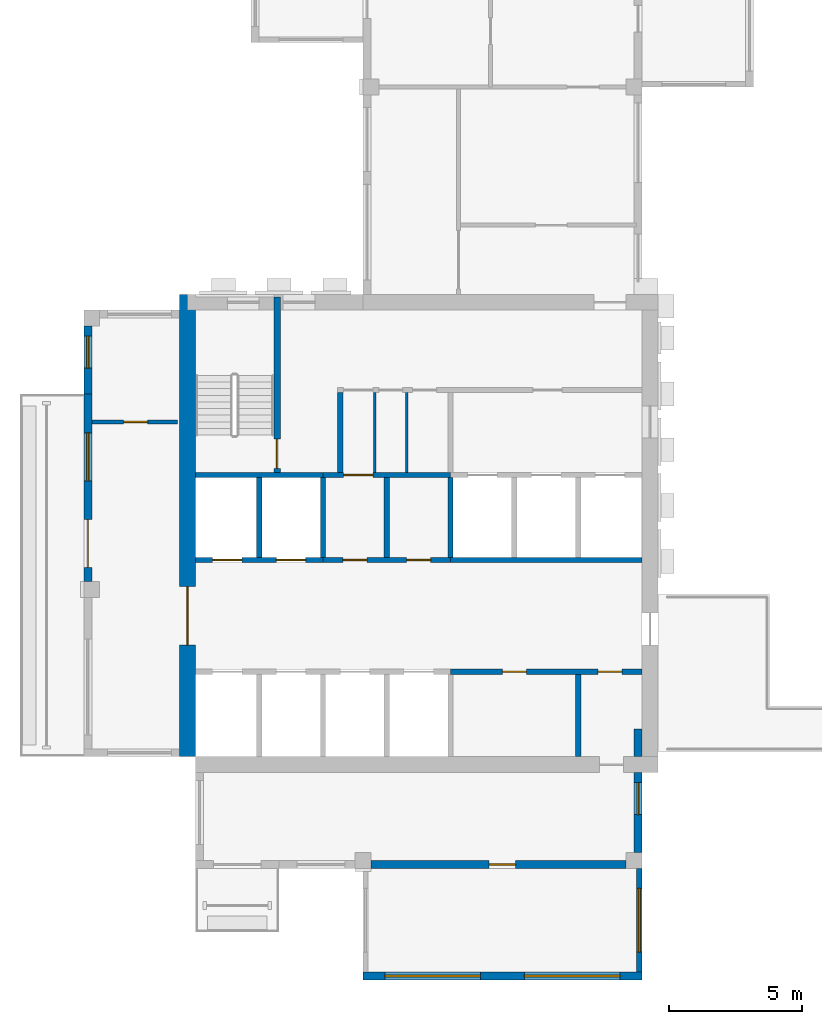
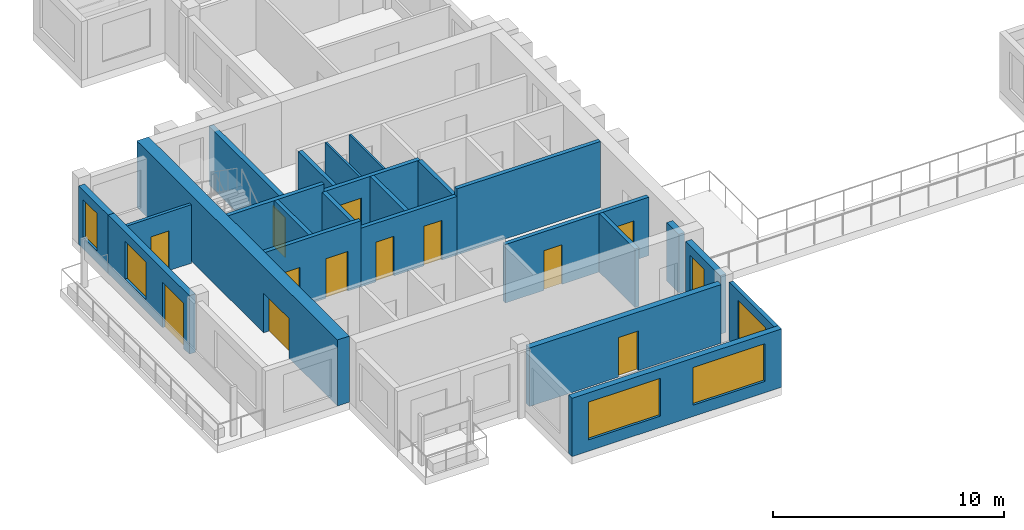
# One storey, part 2 of 9: 24 walls, 12 doors, 6 windows, 18 openings.
"""IFC4 building model written with IfcOpenShell, lengths in metres."""

from ifc_helpers import new_model, si_unit, direction, frame, frame_2d, origin, place, context, subcontext, project, spatial, rectangle, extrude, source, transform, mapped, material, layer, layer_set, type_object, element, fill, save


model = new_model("IFC4")

# Units and contexts
model_context = context("Model", 3, precision=1e-05, world=origin(), true_north=direction((0.0, 1.0)))
body_context = subcontext(model_context, "Body", "Model", "MODEL_VIEW")
ifc_project = project(units=[si_unit("LENGTHUNIT", "METRE"), si_unit("AREAUNIT", "SQUARE_METRE"), si_unit("VOLUMEUNIT", "CUBIC_METRE"), si_unit("PLANEANGLEUNIT", "RADIAN"), si_unit("MASSUNIT", "GRAM", prefix="KILO")], contexts=[model_context])

# Site, building, storey
site_placement = place(None, origin())
site = spatial("IfcSite", under=ifc_project, at=site_placement, CompositionType="ELEMENT")
building_placement = place(site_placement, origin())
building = spatial("IfcBuilding", under=site, at=building_placement, Name="Aurelian Terraces", CompositionType="ELEMENT")
storey_placement = place(building_placement, frame((0.0, 0.0, 333.5)))
storey = spatial("IfcBuildingStorey", under=building, at=storey_placement, Name="L78", CompositionType="ELEMENT", Elevation=333.5)

# Wall, openings, windows
ifc_material_1 = material(Name="Concrete fc' 40 MPa", Category="concrete")
ifc_layer_1 = layer(ifc_material_1, 0.3)
ifc_layer_set_1 = layer_set([ifc_layer_1], Name="BOX BEARING WALL 300")
wall_type_1 = type_object("IfcWallType", Name="BOX BEARING WALL 300", PredefinedType="SOLIDWALL", material=ifc_layer_set_1)
wall_1_placement = place(storey_placement, frame((10.5, -4.05, 0.0), z_axis=(0.0, 0.0, 1.0), x_axis=(1.0, 0.0, 0.0)))
wall_1 = element("IfcWall", 1, at=wall_1_placement, inside=storey, type_object=wall_type_1, Name="Box wall L78 J93", PredefinedType="SOLIDWALL", context=body_context, shape_type="SweptSolid", body=[
    extrude(rectangle(XDim=10.5, YDim=0.3, at=frame_2d((5.25, 0.0))), origin(), (0.0, 0.0, 1.0), 3.09),
])
shared_shape_1 = source(origin(), body_context, "Body", "SweptSolid", [
    extrude(rectangle(XDim=3.6, YDim=2.0, at=frame_2d((1.8, 1.0))), frame((0.0, 0.16, 0.0), z_axis=(0.0, -1.0, 0.0), x_axis=(1.0, 0.0, 0.0)), (0.0, 0.0, 1.0), 0.32),
])
opening_1_placement = place(wall_1_placement, frame((0.825, 0.0, 0.6)))
opening_1 = element("IfcOpeningElement", 2, at=opening_1_placement, cuts=wall_1, Name="Opening W3620", PredefinedType="OPENING", context=body_context, shape_type="MappedRepresentation", body=[
    mapped(shared_shape_1, transform((0.0, 0.0, 0.0), scale=1.0)),
])
opening_2_placement = place(wall_1_placement, frame((6.075, 0.0, 0.6)))
opening_2 = element("IfcOpeningElement", 3, at=opening_2_placement, cuts=wall_1, Name="Opening W3620", PredefinedType="OPENING", context=body_context, shape_type="MappedRepresentation", body=[
    mapped(shared_shape_1, transform((0.0, 0.0, 0.0), scale=1.0)),
])
ifc_material_2 = material(Name="Clear glazing", Category="glass")
window_type_1 = type_object("IfcWindowType", Name="W-3600x2000", PartitioningType="SINGLE_PANEL", PredefinedType="WINDOW", material=ifc_material_2)
shared_shape_2 = source(origin(), body_context, "Body", "SweptSolid", [
    extrude(rectangle(XDim=3.6, YDim=2.0, at=frame_2d((1.8, 1.0))), frame((0.0, 0.03, 0.0), z_axis=(0.0, -1.0, 0.0), x_axis=(1.0, 0.0, 0.0)), (0.0, 0.0, 1.0), 0.06),
])
window_1_placement = place(opening_1_placement, origin())
window_1 = element("IfcWindow", 4, at=window_1_placement, inside=storey, type_object=window_type_1, Name="Window L78 J93-F1", OverallHeight=2.0, OverallWidth=3.6, PartitioningType="SINGLE_PANEL", PredefinedType="WINDOW", context=body_context, shape_type="MappedRepresentation", body=[
    mapped(shared_shape_2, transform((0.0, 0.0, 0.0), scale=1.0)),
])
fill(opening_1, window_1)
window_2_placement = place(opening_2_placement, origin())
window_2 = element("IfcWindow", 5, at=window_2_placement, inside=storey, type_object=window_type_1, Name="Window L78 J93-F2", OverallHeight=2.0, OverallWidth=3.6, PartitioningType="SINGLE_PANEL", PredefinedType="WINDOW", context=body_context, shape_type="MappedRepresentation", body=[
    mapped(shared_shape_2, transform((0.0, 0.0, 0.0), scale=1.0)),
])
fill(opening_2, window_2)

# Wall, opening, window
ifc_material_3 = material(Name="Terracotta rainscreen cladding", Category="masonry")
ifc_layer_2 = layer(ifc_material_3, 0.3)
ifc_layer_set_2 = layer_set([ifc_layer_2], Name="EW-300")
wall_type_2 = type_object("IfcWallType", Name="EW-300", PredefinedType="STANDARD", material=ifc_layer_set_2)
wall_2_placement = place(storey_placement, frame((0.15, 20.4, 0.0), z_axis=(0.0, 0.0, 1.0), x_axis=(0.0, -1.0, 0.0)))
wall_2 = element("IfcWall", 6, at=wall_2_placement, inside=storey, type_object=wall_type_2, Name="External wall L78 F10.17", PredefinedType="STANDARD", context=body_context, shape_type="SweptSolid", body=[
    extrude(rectangle(XDim=2.55, YDim=0.3, at=frame_2d((1.275, 0.0))), origin(), (0.0, 0.0, 1.0), 3.1),
])
shared_shape_3 = source(origin(), body_context, "Body", "SweptSolid", [
    extrude(rectangle(XDim=1.2, YDim=2.0, at=frame_2d((0.6, 1.0))), frame((0.0, 0.16, 0.0), z_axis=(0.0, -1.0, 0.0), x_axis=(1.0, 0.0, 0.0)), (0.0, 0.0, 1.0), 0.32),
])
opening_3_placement = place(wall_2_placement, frame((0.375, 0.0, 0.6)))
opening_3 = element("IfcOpeningElement", 7, at=opening_3_placement, cuts=wall_2, Name="Opening W1220", PredefinedType="OPENING", context=body_context, shape_type="MappedRepresentation", body=[
    mapped(shared_shape_3, transform((0.0, 0.0, 0.0), scale=1.0)),
])
window_type_2 = type_object("IfcWindowType", Name="W-1200x2000", PartitioningType="SINGLE_PANEL", PredefinedType="WINDOW", material=ifc_material_2)
shared_shape_4 = source(origin(), body_context, "Body", "SweptSolid", [
    extrude(rectangle(XDim=1.2, YDim=2.0, at=frame_2d((0.6, 1.0))), frame((0.0, 0.03, 0.0), z_axis=(0.0, -1.0, 0.0), x_axis=(1.0, 0.0, 0.0)), (0.0, 0.0, 1.0), 0.06),
])
window_3_placement = place(opening_3_placement, origin())
window_3 = element("IfcWindow", 8, at=window_3_placement, inside=storey, type_object=window_type_2, Name="Window L78 L78-F10-17-0", OverallHeight=2.0, OverallWidth=1.2, PartitioningType="SINGLE_PANEL", PredefinedType="WINDOW", context=body_context, shape_type="MappedRepresentation", body=[
    mapped(shared_shape_4, transform((0.0, 0.0, 0.0), scale=1.0)),
])
fill(opening_3, window_3)

# Wall, openings, door, window
wall_3_placement = place(storey_placement, frame((0.15, 17.85, 0.0), z_axis=(0.0, 0.0, 1.0), x_axis=(0.0, -1.0, 0.0)))
wall_3 = element("IfcWall", 9, at=wall_3_placement, inside=storey, type_object=wall_type_2, Name="External wall L78 F10.18", PredefinedType="STANDARD", context=body_context, shape_type="SweptSolid", body=[
    extrude(rectangle(XDim=7.05, YDim=0.3, at=frame_2d((3.525, 0.0))), origin(), (0.0, 0.0, 1.0), 3.1),
])
shared_shape_5 = source(origin(), body_context, "Body", "SweptSolid", [
    extrude(rectangle(XDim=1.8, YDim=2.4, at=frame_2d((0.9, 1.2))), frame((0.0, 0.16, 0.0), z_axis=(0.0, -1.0, 0.0), x_axis=(1.0, 0.0, 0.0)), (0.0, 0.0, 1.0), 0.32),
])
opening_4_placement = place(wall_3_placement, frame((4.725, 0.0, 0.0)))
opening_4 = element("IfcOpeningElement", 10, at=opening_4_placement, cuts=wall_3, Name="Opening 87802", PredefinedType="OPENING", context=body_context, shape_type="MappedRepresentation", body=[
    mapped(shared_shape_5, transform((0.0, 0.0, 0.0), scale=1.0)),
])
shared_shape_6 = source(origin(), body_context, "Body", "SweptSolid", [
    extrude(rectangle(XDim=1.8, YDim=2.0, at=frame_2d((0.9, 1.0))), frame((0.0, 0.16, 0.0), z_axis=(0.0, -1.0, 0.0), x_axis=(1.0, 0.0, 0.0)), (0.0, 0.0, 1.0), 0.32),
])
opening_5_placement = place(wall_3_placement, frame((1.4688, 0.0, 0.6)))
opening_5 = element("IfcOpeningElement", 11, at=opening_5_placement, cuts=wall_3, Name="Opening W1820", PredefinedType="OPENING", context=body_context, shape_type="MappedRepresentation", body=[
    mapped(shared_shape_6, transform((0.0, 0.0, 0.0), scale=1.0)),
])
door_type_1 = type_object("IfcDoorType", Name="BD-1800x2400", OperationType="SLIDING_TO_LEFT", PredefinedType="DOOR", material=ifc_material_2)
shared_shape_7 = source(origin(), body_context, "Body", "SweptSolid", [
    extrude(rectangle(XDim=1.8, YDim=2.4, at=frame_2d((0.9, 1.2))), frame((0.0, 0.025, 0.0), z_axis=(0.0, -1.0, 0.0), x_axis=(1.0, 0.0, 0.0)), (0.0, 0.0, 1.0), 0.05),
])
door_1_placement = place(opening_4_placement, origin())
door_1 = element("IfcDoor", 12, at=door_1_placement, inside=storey, type_object=door_type_1, Name="Balcony door L78 F10.18", OperationType="SLIDING_TO_LEFT", OverallHeight=2.4, OverallWidth=1.8, PredefinedType="DOOR", context=body_context, shape_type="MappedRepresentation", body=[
    mapped(shared_shape_7, transform((0.0, 0.0, 0.0), scale=1.0)),
])
fill(opening_4, door_1)
window_type_3 = type_object("IfcWindowType", Name="W-1800x2000", PartitioningType="SINGLE_PANEL", PredefinedType="WINDOW", material=ifc_material_2)
shared_shape_8 = source(origin(), body_context, "Body", "SweptSolid", [
    extrude(rectangle(XDim=1.8, YDim=2.0, at=frame_2d((0.9, 1.0))), frame((0.0, 0.03, 0.0), z_axis=(0.0, -1.0, 0.0), x_axis=(1.0, 0.0, 0.0)), (0.0, 0.0, 1.0), 0.06),
])
window_4_placement = place(opening_5_placement, origin())
window_4 = element("IfcWindow", 13, at=window_4_placement, inside=storey, type_object=window_type_3, Name="Window L78 L78-F10-18-G0-0", OverallHeight=2.0, OverallWidth=1.8, PartitioningType="SINGLE_PANEL", PredefinedType="WINDOW", context=body_context, shape_type="MappedRepresentation", body=[
    mapped(shared_shape_8, transform((0.0, 0.0, 0.0), scale=1.0)),
])
fill(opening_5, window_4)

# Wall, opening, door
ifc_material_4 = material(Name="Concrete fc' 55 MPa", Category="concrete")
ifc_layer_3 = layer(ifc_material_4, 0.6)
ifc_layer_set_3 = layer_set([ifc_layer_3], Name="CORE WALL 600 FC55")
wall_type_3 = type_object("IfcWallType", Name="CORE WALL 600 FC55", PredefinedType="SHEAR", material=ifc_layer_set_3)
shared_shape_9 = source(origin(), body_context, "Body", "SweptSolid", [
    extrude(rectangle(XDim=17.4, YDim=0.6, at=frame_2d((8.7, 0.0))), origin(), (0.0, 0.0, 1.0), 3.5),
])
wall_4_placement = place(storey_placement, frame((3.9, 4.2, 0.0), z_axis=(0.0, 0.0, 1.0), x_axis=(0.0, 1.0, 0.0)))
wall_4 = element("IfcWall", 14, at=wall_4_placement, inside=storey, type_object=wall_type_3, Name="Core wall W L78", PredefinedType="SHEAR", context=body_context, shape_type="MappedRepresentation", body=[
    mapped(shared_shape_9, transform((0.0, 0.0, 0.0), scale=1.0)),
])
shared_shape_10 = source(origin(), body_context, "Body", "SweptSolid", [
    extrude(rectangle(XDim=2.2, YDim=2.1, at=frame_2d((1.1, 1.05))), frame((0.0, 0.31, 0.0), z_axis=(0.0, -1.0, 0.0), x_axis=(1.0, 0.0, 0.0)), (0.0, 0.0, 1.0), 0.62),
])
opening_6_placement = place(wall_4_placement, frame((4.2, 0.0, 0.0)))
opening_6 = element("IfcOpeningElement", 15, at=opening_6_placement, cuts=wall_4, Name="Opening 68124", PredefinedType="OPENING", context=body_context, shape_type="MappedRepresentation", body=[
    mapped(shared_shape_10, transform((0.0, 0.0, 0.0), scale=1.0)),
])
ifc_material_5 = material(Name="Steel door leaf", Category="steel")
door_type_2 = type_object("IfcDoorType", Name="Core double door 2200x2100", OperationType="DOUBLE_DOOR_SINGLE_SWING", PredefinedType="DOOR", material=ifc_material_5)
shared_shape_11 = source(origin(), body_context, "Body", "SweptSolid", [
    extrude(rectangle(XDim=2.2, YDim=2.1, at=frame_2d((1.1, 1.05))), frame((0.0, 0.025, 0.0), z_axis=(0.0, -1.0, 0.0), x_axis=(1.0, 0.0, 0.0)), (0.0, 0.0, 1.0), 0.05),
])
door_2_placement = place(opening_6_placement, origin())
door_2 = element("IfcDoor", 16, at=door_2_placement, inside=storey, type_object=door_type_2, Name="Core door 68124", OperationType="DOUBLE_DOOR_SINGLE_SWING", OverallHeight=2.1, OverallWidth=2.2, PredefinedType="DOOR", context=body_context, shape_type="MappedRepresentation", body=[
    mapped(shared_shape_11, transform((0.0, 0.0, 0.0), scale=1.0)),
])
fill(opening_6, door_2)

# Wall, opening, window
ifc_layer_4 = layer(ifc_material_1, 0.2)
ifc_layer_set_4 = layer_set([ifc_layer_4], Name="BOX BEARING WALL 200")
wall_type_4 = type_object("IfcWallType", Name="BOX BEARING WALL 200", PredefinedType="SOLIDWALL", material=ifc_layer_set_4)
shared_shape_12 = source(origin(), body_context, "Body", "SweptSolid", [
    extrude(rectangle(XDim=3.9, YDim=0.2, at=frame_2d((1.95, 0.0))), origin(), (0.0, 0.0, 1.0), 3.09),
])
wall_5_placement = place(storey_placement, frame((20.9, 0.0, 0.0), z_axis=(0.0, 0.0, 1.0), x_axis=(0.0, -1.0, 0.0)))
wall_5 = element("IfcWall", 17, at=wall_5_placement, inside=storey, type_object=wall_type_4, Name="Box return L78 J93.2", PredefinedType="SOLIDWALL", context=body_context, shape_type="MappedRepresentation", body=[
    mapped(shared_shape_12, transform((0.0, 0.0, 0.0), scale=1.0)),
])
shared_shape_13 = source(origin(), body_context, "Body", "SweptSolid", [
    extrude(rectangle(XDim=2.4, YDim=2.0, at=frame_2d((1.2, 1.0))), frame((0.0, 0.11, 0.0), z_axis=(0.0, -1.0, 0.0), x_axis=(1.0, 0.0, 0.0)), (0.0, 0.0, 1.0), 0.22),
])
opening_7_placement = place(wall_5_placement, frame((0.75, 0.0, 0.6)))
opening_7 = element("IfcOpeningElement", 18, at=opening_7_placement, cuts=wall_5, Name="Opening W2420", PredefinedType="OPENING", context=body_context, shape_type="MappedRepresentation", body=[
    mapped(shared_shape_13, transform((0.0, 0.0, 0.0), scale=1.0)),
])
window_type_4 = type_object("IfcWindowType", Name="W-2400x2000", PartitioningType="SINGLE_PANEL", PredefinedType="WINDOW", material=ifc_material_2)
shared_shape_14 = source(origin(), body_context, "Body", "SweptSolid", [
    extrude(rectangle(XDim=2.4, YDim=2.0, at=frame_2d((1.2, 1.0))), frame((0.0, 0.03, 0.0), z_axis=(0.0, -1.0, 0.0), x_axis=(1.0, 0.0, 0.0)), (0.0, 0.0, 1.0), 0.06),
])
window_5_placement = place(opening_7_placement, origin())
window_5 = element("IfcWindow", 19, at=window_5_placement, inside=storey, type_object=window_type_4, Name="Window L78 J93-S2", OverallHeight=2.0, OverallWidth=2.4, PartitioningType="SINGLE_PANEL", PredefinedType="WINDOW", context=body_context, shape_type="MappedRepresentation", body=[
    mapped(shared_shape_14, transform((0.0, 0.0, 0.0), scale=1.0)),
])
fill(opening_7, window_5)

# Wall
shared_shape_15 = source(origin(), body_context, "Body", "SweptSolid", [
    extrude(rectangle(XDim=1.05, YDim=0.3, at=frame_2d((0.525, 0.0))), origin(), (0.0, 0.0, 1.0), 3.1),
])
wall_6_placement = place(storey_placement, frame((20.85, 4.2, 0.0), z_axis=(0.0, 0.0, 1.0), x_axis=(0.0, 1.0, 0.0)))
element("IfcWall", 20, at=wall_6_placement, inside=storey, type_object=wall_type_2, Name="External wall L78 F02.4", PredefinedType="STANDARD", context=body_context, shape_type="MappedRepresentation", body=[
    mapped(shared_shape_15, transform((0.0, 0.0, 0.0), scale=1.0)),
])

# Wall, opening, window
shared_shape_16 = source(origin(), body_context, "Body", "SweptSolid", [
    extrude(rectangle(XDim=3.0, YDim=0.3, at=frame_2d((1.5, 0.0))), origin(), (0.0, 0.0, 1.0), 3.1),
])
wall_7_placement = place(storey_placement, frame((20.85, 0.6, 0.0), z_axis=(0.0, 0.0, 1.0), x_axis=(0.0, 1.0, 0.0)))
wall_7 = element("IfcWall", 21, at=wall_7_placement, inside=storey, type_object=wall_type_2, Name="External wall L78 F02.4", PredefinedType="STANDARD", context=body_context, shape_type="MappedRepresentation", body=[
    mapped(shared_shape_16, transform((0.0, 0.0, 0.0), scale=1.0)),
])
opening_8_placement = place(wall_7_placement, frame((1.425, 0.0, 0.6)))
opening_8 = element("IfcOpeningElement", 22, at=opening_8_placement, cuts=wall_7, Name="Opening W1220", PredefinedType="OPENING", context=body_context, shape_type="MappedRepresentation", body=[
    mapped(shared_shape_3, transform((0.0, 0.0, 0.0), scale=1.0)),
])
window_6_placement = place(opening_8_placement, origin())
window_6 = element("IfcWindow", 23, at=window_6_placement, inside=storey, type_object=window_type_2, Name="Window L78 L78-F02-04-0", OverallHeight=2.0, OverallWidth=1.2, PartitioningType="SINGLE_PANEL", PredefinedType="WINDOW", context=body_context, shape_type="MappedRepresentation", body=[
    mapped(shared_shape_4, transform((0.0, 0.0, 0.0), scale=1.0)),
])
fill(opening_8, window_6)

# Wall, opening, door
shared_shape_17 = source(origin(), body_context, "Body", "SweptSolid", [
    extrude(rectangle(XDim=9.6, YDim=0.3, at=frame_2d((4.8, 0.0))), origin(), (0.0, 0.0, 1.0), 3.1),
])
wall_8_placement = place(storey_placement, frame((10.8, 0.15, 0.0), z_axis=(0.0, 0.0, 1.0), x_axis=(1.0, 0.0, 0.0)))
wall_8 = element("IfcWall", 24, at=wall_8_placement, inside=storey, type_object=wall_type_2, Name="External wall L78 F01.3", PredefinedType="STANDARD", context=body_context, shape_type="MappedRepresentation", body=[
    mapped(shared_shape_17, transform((0.0, 0.0, 0.0), scale=1.0)),
])
shared_shape_18 = source(origin(), body_context, "Body", "SweptSolid", [
    extrude(rectangle(XDim=1.0, YDim=2.1, at=frame_2d((0.5, 1.05))), frame((0.0, 0.16, 0.0), z_axis=(0.0, -1.0, 0.0), x_axis=(1.0, 0.0, 0.0)), (0.0, 0.0, 1.0), 0.32),
])
opening_9_placement = place(wall_8_placement, frame((4.45, 0.0, 0.0)))
opening_9 = element("IfcOpeningElement", 25, at=opening_9_placement, cuts=wall_8, Name="Opening 878003", PredefinedType="OPENING", context=body_context, shape_type="MappedRepresentation", body=[
    mapped(shared_shape_18, transform((0.0, 0.0, 0.0), scale=1.0)),
])
ifc_material_6 = material(Name="Timber door leaf", Category="wood")
door_type_3 = type_object("IfcDoorType", Name="Room door 1000x2100 left", OperationType="SINGLE_SWING_LEFT", PredefinedType="DOOR", material=ifc_material_6)
shared_shape_19 = source(origin(), body_context, "Body", "SweptSolid", [
    extrude(rectangle(XDim=1.0, YDim=2.1, at=frame_2d((0.5, 1.05))), frame((0.0, 0.025, 0.0), z_axis=(0.0, -1.0, 0.0), x_axis=(1.0, 0.0, 0.0)), (0.0, 0.0, 1.0), 0.05),
])
door_3_placement = place(opening_9_placement, origin())
door_3 = element("IfcDoor", 26, at=door_3_placement, inside=storey, type_object=door_type_3, Name="Door 878003", OperationType="SINGLE_SWING_LEFT", OverallHeight=2.1, OverallWidth=1.0, PredefinedType="DOOR", context=body_context, shape_type="MappedRepresentation", body=[
    mapped(shared_shape_19, transform((0.0, 0.0, 0.0), scale=1.0)),
])
fill(opening_9, door_3)

# Walls
ifc_layer_5 = layer(ifc_material_1, 0.2)
ifc_layer_set_5 = layer_set([ifc_layer_5], Name="Lift shaft wall 200")
wall_type_5 = type_object("IfcWallType", Name="Lift shaft wall 200", PredefinedType="SOLIDWALL", material=ifc_layer_set_5)
shared_shape_20 = source(origin(), body_context, "Body", "SweptSolid", [
    extrude(rectangle(XDim=3.0, YDim=0.2, at=frame_2d((1.5, 0.0))), origin(), (0.0, 0.0, 1.0), 3.1),
])
for number, where, z_axis, x_axis, name in (
    (27, (9.0, 11.7, 0.0), (0.0, 0.0, 1.0), (0.0, 1.0, 0.0), "L78 core wall CD-B2"),
    (28, (13.8, 11.7, 0.0), (0.0, 0.0, 1.0), (0.0, 1.0, 0.0), "L78 core wall CD-B4"),
):
    element("IfcWall", number, at=place(storey_placement, frame(where, z_axis=z_axis, x_axis=x_axis)), inside=storey, type_object=wall_type_5, Name=name, PredefinedType="SOLIDWALL", context=body_context, shape_type="MappedRepresentation", body=[
        mapped(shared_shape_20, transform((0.0, 0.0, 0.0), scale=1.0)),
    ])
shared_shape_21 = source(origin(), body_context, "Body", "SweptSolid", [
    extrude(rectangle(XDim=3.0, YDim=0.2, at=frame_2d((1.5, 0.0))), origin(), (0.0, 0.0, 1.0), 3.5),
])
wall_9_placement = place(storey_placement, frame((6.6, 11.7, 0.0), z_axis=(0.0, 0.0, 1.0), x_axis=(0.0, 1.0, 0.0)))
element("IfcWall", 29, at=wall_9_placement, inside=storey, type_object=wall_type_5, Name="L78 core wall CD-B1", PredefinedType="SOLIDWALL", context=body_context, shape_type="MappedRepresentation", body=[
    mapped(shared_shape_21, transform((0.0, 0.0, 0.0), scale=1.0)),
])

# Wall, openings, doors
shared_shape_22 = source(origin(), body_context, "Body", "SweptSolid", [
    extrude(rectangle(XDim=4.8, YDim=0.2, at=frame_2d((2.4, 0.0))), origin(), (0.0, 0.0, 1.0), 3.5),
])
wall_10_placement = place(storey_placement, frame((4.2, 11.6, 0.0), z_axis=(0.0, 0.0, 1.0), x_axis=(1.0, 0.0, 0.0)))
wall_10 = element("IfcWall", 30, at=wall_10_placement, inside=storey, type_object=wall_type_5, Name="L78 core wall CF-BF1", PredefinedType="SOLIDWALL", context=body_context, shape_type="MappedRepresentation", body=[
    mapped(shared_shape_22, transform((0.0, 0.0, 0.0), scale=1.0)),
])
shared_shape_23 = source(origin(), body_context, "Body", "SweptSolid", [
    extrude(rectangle(XDim=1.1, YDim=2.1, at=frame_2d((0.55, 1.05))), frame((0.0, 0.11, 0.0), z_axis=(0.0, -1.0, 0.0), x_axis=(1.0, 0.0, 0.0)), (0.0, 0.0, 1.0), 0.22),
])
opening_10_placement = place(wall_10_placement, frame((0.65, 0.0, 0.0)))
opening_10 = element("IfcOpeningElement", 31, at=opening_10_placement, cuts=wall_10, Name="Opening 68106", PredefinedType="OPENING", context=body_context, shape_type="MappedRepresentation", body=[
    mapped(shared_shape_23, transform((0.0, 0.0, 0.0), scale=1.0)),
])
opening_11_placement = place(wall_10_placement, frame((3.05, 0.0, 0.0)))
opening_11 = element("IfcOpeningElement", 32, at=opening_11_placement, cuts=wall_10, Name="Opening 68107", PredefinedType="OPENING", context=body_context, shape_type="MappedRepresentation", body=[
    mapped(shared_shape_23, transform((0.0, 0.0, 0.0), scale=1.0)),
])
ifc_material_7 = material(Name="Stainless steel", Category="steel")
door_type_4 = type_object("IfcDoorType", Name="Lift landing door 1100x2100", OperationType="SLIDING_TO_LEFT", PredefinedType="DOOR", material=ifc_material_7)
shared_shape_24 = source(origin(), body_context, "Body", "SweptSolid", [
    extrude(rectangle(XDim=1.1, YDim=2.1, at=frame_2d((0.55, 1.05))), frame((0.0, 0.025, 0.0), z_axis=(0.0, -1.0, 0.0), x_axis=(1.0, 0.0, 0.0)), (0.0, 0.0, 1.0), 0.05),
])
door_4_placement = place(opening_10_placement, origin())
door_4 = element("IfcDoor", 33, at=door_4_placement, inside=storey, type_object=door_type_4, Name="Lift landing door LH5 L78", OperationType="SLIDING_TO_LEFT", OverallHeight=2.1, OverallWidth=1.1, PredefinedType="DOOR", context=body_context, shape_type="MappedRepresentation", body=[
    mapped(shared_shape_24, transform((0.0, 0.0, 0.0), scale=1.0)),
])
fill(opening_10, door_4)
door_5_placement = place(opening_11_placement, origin())
door_5 = element("IfcDoor", 34, at=door_5_placement, inside=storey, type_object=door_type_4, Name="Lift landing door LH6 L78", OperationType="SLIDING_TO_LEFT", OverallHeight=2.1, OverallWidth=1.1, PredefinedType="DOOR", context=body_context, shape_type="MappedRepresentation", body=[
    mapped(shared_shape_24, transform((0.0, 0.0, 0.0), scale=1.0)),
])
fill(opening_11, door_5)

# Wall
wall_11_placement = place(storey_placement, frame((4.2, 14.8, 0.0), z_axis=(0.0, 0.0, 1.0), x_axis=(1.0, 0.0, 0.0)))
element("IfcWall", 35, at=wall_11_placement, inside=storey, type_object=wall_type_5, Name="L78 core wall CF-BB1", PredefinedType="SOLIDWALL", context=body_context, shape_type="MappedRepresentation", body=[
    mapped(shared_shape_22, transform((0.0, 0.0, 0.0), scale=1.0)),
])

# Wall, openings, doors
shared_shape_25 = source(origin(), body_context, "Body", "SweptSolid", [
    extrude(rectangle(XDim=4.8, YDim=0.2, at=frame_2d((2.4, 0.0))), origin(), (0.0, 0.0, 1.0), 3.1),
])
wall_12_placement = place(storey_placement, frame((9.0, 11.6, 0.0), z_axis=(0.0, 0.0, 1.0), x_axis=(1.0, 0.0, 0.0)))
wall_12 = element("IfcWall", 36, at=wall_12_placement, inside=storey, type_object=wall_type_5, Name="L78 core wall CF-BF2", PredefinedType="SOLIDWALL", context=body_context, shape_type="MappedRepresentation", body=[
    mapped(shared_shape_25, transform((0.0, 0.0, 0.0), scale=1.0)),
])
shared_shape_26 = source(origin(), body_context, "Body", "SweptSolid", [
    extrude(rectangle(XDim=0.9, YDim=2.1, at=frame_2d((0.45, 1.05))), frame((0.0, 0.11, 0.0), z_axis=(0.0, -1.0, 0.0), x_axis=(1.0, 0.0, 0.0)), (0.0, 0.0, 1.0), 0.22),
])
opening_12_placement = place(wall_12_placement, frame((0.75, 0.0, 0.0)))
opening_12 = element("IfcOpeningElement", 37, at=opening_12_placement, cuts=wall_12, Name="Opening 68108", PredefinedType="OPENING", context=body_context, shape_type="MappedRepresentation", body=[
    mapped(shared_shape_26, transform((0.0, 0.0, 0.0), scale=1.0)),
])
opening_13_placement = place(wall_12_placement, frame((3.15, 0.0, 0.0)))
opening_13 = element("IfcOpeningElement", 38, at=opening_13_placement, cuts=wall_12, Name="Opening 68109", PredefinedType="OPENING", context=body_context, shape_type="MappedRepresentation", body=[
    mapped(shared_shape_26, transform((0.0, 0.0, 0.0), scale=1.0)),
])
door_type_5 = type_object("IfcDoorType", Name="Core service door 900x2100 right", OperationType="SINGLE_SWING_RIGHT", PredefinedType="DOOR", material=ifc_material_5)
shared_shape_27 = source(origin(), body_context, "Body", "SweptSolid", [
    extrude(rectangle(XDim=0.9, YDim=2.1, at=frame_2d((0.45, 1.05))), frame((0.0, 0.025, 0.0), z_axis=(0.0, -1.0, 0.0), x_axis=(1.0, 0.0, 0.0)), (0.0, 0.0, 1.0), 0.05),
])
door_6_placement = place(opening_12_placement, origin())
door_6 = element("IfcDoor", 39, at=door_6_placement, inside=storey, type_object=door_type_5, Name="Room door 68108", OperationType="SINGLE_SWING_RIGHT", OverallHeight=2.1, OverallWidth=0.9, PredefinedType="DOOR", context=body_context, shape_type="MappedRepresentation", body=[
    mapped(shared_shape_27, transform((0.0, 0.0, 0.0), scale=1.0)),
])
fill(opening_12, door_6)
door_type_6 = type_object("IfcDoorType", Name="Core service door 900x2100", OperationType="SINGLE_SWING_LEFT", PredefinedType="DOOR", material=ifc_material_5)
door_7_placement = place(opening_13_placement, origin())
door_7 = element("IfcDoor", 40, at=door_7_placement, inside=storey, type_object=door_type_6, Name="Room door 68109", OperationType="SINGLE_SWING_LEFT", OverallHeight=2.1, OverallWidth=0.9, PredefinedType="DOOR", context=body_context, shape_type="MappedRepresentation", body=[
    mapped(shared_shape_27, transform((0.0, 0.0, 0.0), scale=1.0)),
])
fill(opening_13, door_7)

# Wall, opening, door
wall_13_placement = place(storey_placement, frame((9.0, 14.8, 0.0), z_axis=(0.0, 0.0, 1.0), x_axis=(1.0, 0.0, 0.0)))
wall_13 = element("IfcWall", 41, at=wall_13_placement, inside=storey, type_object=wall_type_5, Name="L78 core wall CF-BB2", PredefinedType="SOLIDWALL", context=body_context, shape_type="MappedRepresentation", body=[
    mapped(shared_shape_25, transform((0.0, 0.0, 0.0), scale=1.0)),
])
opening_14_placement = place(wall_13_placement, frame((0.775, 0.0, 0.0)))
opening_14 = element("IfcOpeningElement", 42, at=opening_14_placement, cuts=wall_13, Name="Opening 68110", PredefinedType="OPENING", context=body_context, shape_type="MappedRepresentation", body=[
    mapped(shared_shape_23, transform((0.0, 0.0, 0.0), scale=1.0)),
])
door_type_7 = type_object("IfcDoorType", Name="Core fire door 1100x2100 right", OperationType="SINGLE_SWING_RIGHT", PredefinedType="DOOR", material=ifc_material_5)
door_8_placement = place(opening_14_placement, origin())
door_8 = element("IfcDoor", 43, at=door_8_placement, inside=storey, type_object=door_type_7, Name="Room door 68110", OperationType="SINGLE_SWING_RIGHT", OverallHeight=2.1, OverallWidth=1.1, PredefinedType="DOOR", context=body_context, shape_type="MappedRepresentation", body=[
    mapped(shared_shape_24, transform((0.0, 0.0, 0.0), scale=1.0)),
])
fill(opening_14, door_8)

# Walls
shared_shape_28 = source(origin(), body_context, "Body", "SweptSolid", [
    extrude(rectangle(XDim=7.2, YDim=0.2, at=frame_2d((3.6, 0.0))), origin(), (0.0, 0.0, 1.0), 3.5),
])
wall_14_placement = place(storey_placement, frame((13.8, 11.6, 0.0), z_axis=(0.0, 0.0, 1.0), x_axis=(1.0, 0.0, 0.0)))
element("IfcWall", 44, at=wall_14_placement, inside=storey, type_object=wall_type_5, Name="L78 core wall CF-BF3", PredefinedType="SOLIDWALL", context=body_context, shape_type="MappedRepresentation", body=[
    mapped(shared_shape_28, transform((0.0, 0.0, 0.0), scale=1.0)),
])
ifc_material_8 = material(Name="Gypsum board on steel studs", Category="steel")
ifc_layer_6 = layer(ifc_material_8, 0.2)
ifc_layer_set_6 = layer_set([ifc_layer_6], Name="Core partition 200")
wall_type_6 = type_object("IfcWallType", Name="Core partition 200", PredefinedType="PARTITIONING", material=ifc_layer_set_6)
shared_shape_29 = source(origin(), body_context, "Body", "SweptSolid", [
    extrude(rectangle(XDim=3.0, YDim=0.2, at=frame_2d((1.5, 0.0))), origin(), (0.0, 0.0, 1.0), 3.1),
])
for number, where, z_axis, x_axis, name in (
    (45, (11.4, 11.7, 0.0), (0.0, 0.0, 1.0), (0.0, 1.0, 0.0), "L78 core wall CS-B3"),
    (46, (9.65, 14.9, 0.0), (0.0, 0.0, 1.0), (0.0, 1.0, 0.0), "L78 core wall CP-VEST"),
):
    element("IfcWall", number, at=place(storey_placement, frame(where, z_axis=z_axis, x_axis=x_axis)), inside=storey, type_object=wall_type_6, Name=name, PredefinedType="PARTITIONING", context=body_context, shape_type="MappedRepresentation", body=[
        mapped(shared_shape_29, transform((0.0, 0.0, 0.0), scale=1.0)),
    ])
shared_shape_30 = source(origin(), body_context, "Body", "SweptSolid", [
    extrude(rectangle(XDim=3.1, YDim=0.2, at=frame_2d((1.55, 0.0))), origin(), (0.0, 0.0, 1.0), 3.1),
])
wall_15_placement = place(storey_placement, frame((18.6, 4.2, 0.0), z_axis=(0.0, 0.0, 1.0), x_axis=(0.0, 1.0, 0.0)))
element("IfcWall", 47, at=wall_15_placement, inside=storey, type_object=wall_type_6, Name="L78 core wall CS-A6", PredefinedType="PARTITIONING", context=body_context, shape_type="MappedRepresentation", body=[
    mapped(shared_shape_30, transform((0.0, 0.0, 0.0), scale=1.0)),
])

# Wall, openings, doors
shared_shape_31 = source(origin(), body_context, "Body", "SweptSolid", [
    extrude(rectangle(XDim=7.2, YDim=0.2, at=frame_2d((3.6, 0.0))), origin(), (0.0, 0.0, 1.0), 3.1),
])
wall_16_placement = place(storey_placement, frame((13.8, 7.4, 0.0), z_axis=(0.0, 0.0, 1.0), x_axis=(1.0, 0.0, 0.0)))
wall_16 = element("IfcWall", 48, at=wall_16_placement, inside=storey, type_object=wall_type_5, Name="L78 core wall CF-AF2", PredefinedType="SOLIDWALL", context=body_context, shape_type="MappedRepresentation", body=[
    mapped(shared_shape_31, transform((0.0, 0.0, 0.0), scale=1.0)),
])
opening_15_placement = place(wall_16_placement, frame((1.95, 0.0, 0.0)))
opening_15 = element("IfcOpeningElement", 49, at=opening_15_placement, cuts=wall_16, Name="Opening 68104", PredefinedType="OPENING", context=body_context, shape_type="MappedRepresentation", body=[
    mapped(shared_shape_26, transform((0.0, 0.0, 0.0), scale=1.0)),
])
opening_16_placement = place(wall_16_placement, frame((5.55, 0.0, 0.0)))
opening_16 = element("IfcOpeningElement", 50, at=opening_16_placement, cuts=wall_16, Name="Opening 68105", PredefinedType="OPENING", context=body_context, shape_type="MappedRepresentation", body=[
    mapped(shared_shape_26, transform((0.0, 0.0, 0.0), scale=1.0)),
])
door_9_placement = place(opening_15_placement, origin())
door_9 = element("IfcDoor", 51, at=door_9_placement, inside=storey, type_object=door_type_5, Name="Room door 68104", OperationType="SINGLE_SWING_RIGHT", OverallHeight=2.1, OverallWidth=0.9, PredefinedType="DOOR", context=body_context, shape_type="MappedRepresentation", body=[
    mapped(shared_shape_27, transform((0.0, 0.0, 0.0), scale=1.0)),
])
fill(opening_15, door_9)
door_10_placement = place(opening_16_placement, origin())
door_10 = element("IfcDoor", 52, at=door_10_placement, inside=storey, type_object=door_type_6, Name="Room door 68105", OperationType="SINGLE_SWING_LEFT", OverallHeight=2.1, OverallWidth=0.9, PredefinedType="DOOR", context=body_context, shape_type="MappedRepresentation", body=[
    mapped(shared_shape_27, transform((0.0, 0.0, 0.0), scale=1.0)),
])
fill(opening_16, door_10)

# Wall, opening, door
ifc_layer_7 = layer(ifc_material_1, 0.25)
ifc_layer_set_7 = layer_set([ifc_layer_7], Name="Stair enclosure wall 250")
wall_type_7 = type_object("IfcWallType", Name="Stair enclosure wall 250", PredefinedType="SOLIDWALL", material=ifc_layer_set_7)
shared_shape_32 = source(origin(), body_context, "Body", "SweptSolid", [
    extrude(rectangle(XDim=6.6, YDim=0.25, at=frame_2d((3.3, 0.0))), origin(), (0.0, 0.0, 1.0), 3.1),
])
wall_17_placement = place(storey_placement, frame((7.275, 14.9, 0.0), z_axis=(0.0, 0.0, 1.0), x_axis=(0.0, 1.0, 0.0)))
wall_17 = element("IfcWall", 53, at=wall_17_placement, inside=storey, type_object=wall_type_7, Name="L78 core wall ST-S1-E", PredefinedType="SOLIDWALL", context=body_context, shape_type="MappedRepresentation", body=[
    mapped(shared_shape_32, transform((0.0, 0.0, 0.0), scale=1.0)),
])
shared_shape_33 = source(origin(), body_context, "Body", "SweptSolid", [
    extrude(rectangle(XDim=1.1, YDim=2.1, at=frame_2d((0.55, 1.05))), frame((0.0, 0.135, 0.0), z_axis=(0.0, -1.0, 0.0), x_axis=(1.0, 0.0, 0.0)), (0.0, 0.0, 1.0), 0.27),
])
opening_17_placement = place(wall_17_placement, frame((0.15, 0.0, 0.0)))
opening_17 = element("IfcOpeningElement", 54, at=opening_17_placement, cuts=wall_17, Name="Opening 68114", PredefinedType="OPENING", context=body_context, shape_type="MappedRepresentation", body=[
    mapped(shared_shape_33, transform((0.0, 0.0, 0.0), scale=1.0)),
])
door_11_placement = place(opening_17_placement, origin())
door_11 = element("IfcDoor", 55, at=door_11_placement, inside=storey, type_object=door_type_7, Name="Stair door 68114", OperationType="SINGLE_SWING_RIGHT", OverallHeight=2.1, OverallWidth=1.1, PredefinedType="DOOR", context=body_context, shape_type="MappedRepresentation", body=[
    mapped(shared_shape_24, transform((0.0, 0.0, 0.0), scale=1.0)),
])
fill(opening_17, door_11)

# Walls
ifc_layer_8 = layer(ifc_material_8, 0.1)
ifc_layer_set_8 = layer_set([ifc_layer_8], Name="Core partition 100")
wall_type_8 = type_object("IfcWallType", Name="Core partition 100", PredefinedType="PARTITIONING", material=ifc_layer_set_8)
shared_shape_34 = source(origin(), body_context, "Body", "SweptSolid", [
    extrude(rectangle(XDim=3.0, YDim=0.1, at=frame_2d((1.5, 0.0))), origin(), (0.0, 0.0, 1.0), 3.1),
])
for number, where, z_axis, x_axis, name in (
    (56, (10.95, 14.9, 0.0), (0.0, 0.0, 1.0), (0.0, 1.0, 0.0), "L78 core wall CP-SV1"),
    (57, (12.15, 14.9, 0.0), (0.0, 0.0, 1.0), (0.0, 1.0, 0.0), "L78 core wall CP-SV2"),
):
    element("IfcWall", number, at=place(storey_placement, frame(where, z_axis=z_axis, x_axis=x_axis)), inside=storey, type_object=wall_type_8, Name=name, PredefinedType="PARTITIONING", context=body_context, shape_type="MappedRepresentation", body=[
        mapped(shared_shape_34, transform((0.0, 0.0, 0.0), scale=1.0)),
    ])

# Wall, opening, door
ifc_layer_9 = layer(ifc_material_8, 0.15)
ifc_layer_set_9 = layer_set([ifc_layer_9], Name="Partition 150")
wall_type_9 = type_object("IfcWallType", Name="Partition 150", PredefinedType="PARTITIONING", material=ifc_layer_set_9)
shared_shape_35 = source(origin(), body_context, "Body", "SweptSolid", [
    extrude(rectangle(XDim=3.225, YDim=0.15, at=frame_2d((1.6125, 0.0))), origin(), (0.0, 0.0, 1.0), 3.1),
])
wall_18_placement = place(storey_placement, frame((0.3, 16.8, 0.0), z_axis=(0.0, 0.0, 1.0), x_axis=(1.0, 0.0, 0.0)))
wall_18 = element("IfcWall", 58, at=wall_18_placement, inside=storey, type_object=wall_type_9, Name="Partition", PredefinedType="PARTITIONING", context=body_context, shape_type="MappedRepresentation", body=[
    mapped(shared_shape_35, transform((0.0, 0.0, 0.0), scale=1.0)),
])
shared_shape_36 = source(origin(), body_context, "Body", "SweptSolid", [
    extrude(rectangle(XDim=0.9, YDim=2.1, at=frame_2d((0.45, 1.05))), frame((0.0, 0.085, 0.0), z_axis=(0.0, -1.0, 0.0), x_axis=(1.0, 0.0, 0.0)), (0.0, 0.0, 1.0), 0.17),
])
opening_18_placement = place(wall_18_placement, frame((1.2, 0.0, 0.0)))
opening_18 = element("IfcOpeningElement", 59, at=opening_18_placement, cuts=wall_18, Name="Opening 778001", PredefinedType="OPENING", context=body_context, shape_type="MappedRepresentation", body=[
    mapped(shared_shape_36, transform((0.0, 0.0, 0.0), scale=1.0)),
])
door_type_8 = type_object("IfcDoorType", Name="Room door 900x2100 right", OperationType="SINGLE_SWING_RIGHT", PredefinedType="DOOR", material=ifc_material_6)
door_12_placement = place(opening_18_placement, origin())
door_12 = element("IfcDoor", 60, at=door_12_placement, inside=storey, type_object=door_type_8, Name="Door 778001", OperationType="SINGLE_SWING_RIGHT", OverallHeight=2.1, OverallWidth=0.9, PredefinedType="DOOR", context=body_context, shape_type="MappedRepresentation", body=[
    mapped(shared_shape_27, transform((0.0, 0.0, 0.0), scale=1.0)),
])
fill(opening_18, door_12)

save(model, "model.ifc")
